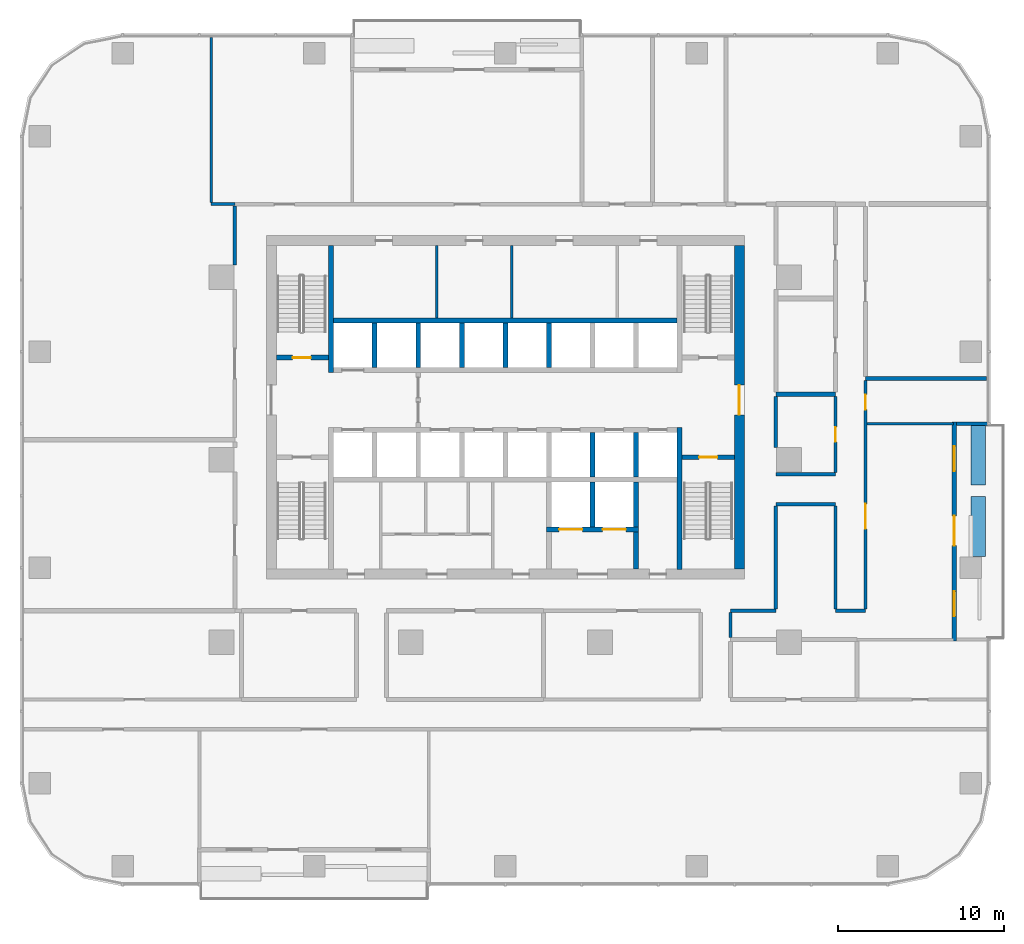
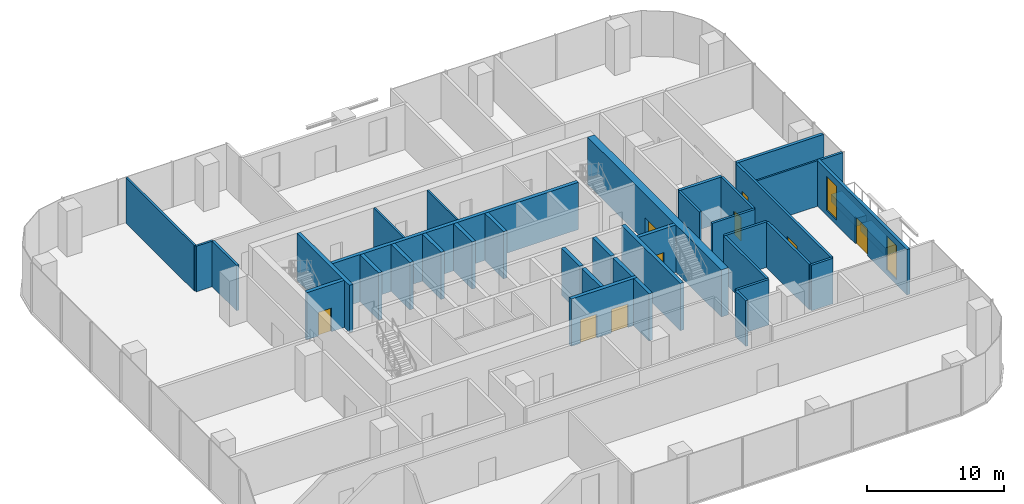
# One storey, part 9 of 14: 39 walls, 9 doors, 2 windows, 11 openings.
"""IFC4 building model written with IfcOpenShell, lengths in metres."""

from ifc_helpers import new_model, si_unit, direction, frame, frame_2d, origin, place, context, subcontext, project, spatial, rectangle, extrude, material, layer, layer_set, type_object, element, fill, save


model = new_model("IFC4")

# Units and contexts
model_context = context("Model", 3, precision=1e-05, world=origin(), true_north=direction((0.0, 1.0)))
body_context = subcontext(model_context, "Body", "Model", "MODEL_VIEW")
ifc_project = project(units=[si_unit("LENGTHUNIT", "METRE"), si_unit("AREAUNIT", "SQUARE_METRE"), si_unit("VOLUMEUNIT", "CUBIC_METRE"), si_unit("PLANEANGLEUNIT", "RADIAN"), si_unit("MASSUNIT", "GRAM", prefix="KILO")], contexts=[model_context])

# Site, building, storey
site_placement = place(None, origin())
site = spatial("IfcSite", under=ifc_project, at=site_placement, CompositionType="ELEMENT")
building_placement = place(site_placement, origin())
building = spatial("IfcBuilding", under=site, at=building_placement, Name="Mopane Tessera Tower", CompositionType="ELEMENT")
storey_placement = place(building_placement, frame((0.0, 0.0, 126.10009765625)))
storey = spatial("IfcBuildingStorey", under=building, at=storey_placement, Name="L25", CompositionType="ELEMENT", Elevation=126.10009765625)

# Walls
ifc_material_1 = material(Name="Fire-rated gypsum board partition")
ifc_layer_1 = layer(ifc_material_1, 0.14990234375)
ifc_layer_set_1 = layer_set([ifc_layer_1], Name="Fire-rated gypsum board partition")
wall_type_1 = type_object("IfcWallType", Name="Core room partition 150 mm", PredefinedType="PARTITIONING", material=ifc_layer_set_1)
for number, where, z_axis, x_axis, name in (
    (1, (-4.125, 8.550048828125, 0.0), (0.0, 0.0, 1.0), (0.0, 1.0, 0.0), "L25 Room partition"),
    (2, (0.375, 8.550048828125, 0.0), (0.0, 0.0, 1.0), (0.0, 1.0, 0.0), "L25 Room partition"),
):
    element("IfcWall", number, at=place(storey_placement, frame(where, z_axis=z_axis, x_axis=x_axis)), inside=storey, type_object=wall_type_1, Name=name, PredefinedType="PARTITIONING", context=body_context, shape_type="SweptSolid", body=[
        extrude(rectangle(XDim=4.349853515625, YDim=0.14990234375, at=frame_2d((2.1748046875, 0.0))), origin(), (0.0, 0.0, 1.0), 4.199951171875),
    ])

# Wall, opening, door
ifc_material_2 = material(Name="Concrete C70/85", Category="concrete")
ifc_layer_2 = layer(ifc_material_2, 0.60009765625)
ifc_layer_set_2 = layer_set([ifc_layer_2], Name="Concrete C70/85")
wall_type_2 = type_object("IfcWallType", Name="Core shear wall 600 mm", PredefinedType="SHEAR", material=ifc_layer_set_2)
wall_1_placement = place(storey_placement, frame((14.10009765625, -6.60009765625, 0.0), z_axis=(0.0, 0.0, 1.0), x_axis=(0.0, 1.0, 0.0)))
wall_1 = element("IfcWall", 3, at=wall_1_placement, inside=storey, type_object=wall_type_2, Name="L25 Core wall east", PredefinedType="SHEAR", context=body_context, shape_type="SweptSolid", body=[
    extrude(rectangle(XDim=19.5, YDim=0.60009765625, at=frame_2d((9.75, 0.0))), origin(), (0.0, 0.0, 1.0), 4.199951171875),
])
opening_1_placement = place(wall_1_placement, frame((9.300048828125, 0.0, 0.0)))
opening_1 = element("IfcOpeningElement", 4, at=opening_1_placement, cuts=wall_1, Name="Opening SD2", PredefinedType="OPENING", context=body_context, shape_type="SweptSolid", body=[
    extrude(rectangle(XDim=1.800048828125, YDim=2.10009765625, at=frame_2d((0.89990234375, 1.050048828125))), frame((0.0, 0.31201171875, 0.0), z_axis=(0.0, -1.0, 0.0), x_axis=(1.0, 0.0, 0.0)), (0.0, 0.0, 1.0), 0.6240234375),
])
ifc_material_3 = material(Name="Steel fire door", Category="steel")
door_type_1 = type_object("IfcDoorType", Name="Core entrance double door 1800 x 2100", OperationType="DOUBLE_DOOR_SINGLE_SWING", PredefinedType="DOOR", material=ifc_material_3)
door_1_placement = place(opening_1_placement, origin())
door_1 = element("IfcDoor", 5, at=door_1_placement, inside=storey, type_object=door_type_1, Name="L25 Core entrance door east", OperationType="DOUBLE_DOOR_SINGLE_SWING", OverallHeight=2.10009765625, OverallWidth=1.800048828125, PredefinedType="DOOR", context=body_context, shape_type="SweptSolid", body=[
    extrude(rectangle(XDim=1.800048828125, YDim=2.10009765625, at=frame_2d((0.89990234375, 1.050048828125))), frame((0.0, 0.02490234375, 0.0), z_axis=(0.0, -1.0, 0.0), x_axis=(1.0, 0.0, 0.0)), (0.0, 0.0, 1.0), 0.050048828125),
])
fill(opening_1, door_1)

# Walls
ifc_material_4 = material(Name="Concrete C60/75", Category="concrete")
ifc_layer_3 = layer(ifc_material_4, 0.300048828125)
ifc_layer_set_3 = layer_set([ifc_layer_3], Name="Concrete C60/75")
wall_type_3 = type_object("IfcWallType", Name="Core spine wall 300 mm", PredefinedType="SHEAR", material=ifc_layer_set_3)
wall_2_placement = place(storey_placement, frame((-10.5, 5.25, 0.0), z_axis=(0.0, 0.0, 1.0), x_axis=(0.0, 1.0, 0.0)))
element("IfcWall", 6, at=wall_2_placement, inside=storey, type_object=wall_type_3, Name="L25 Core spine wall", PredefinedType="SHEAR", context=body_context, shape_type="SweptSolid", body=[
    extrude(rectangle(XDim=7.64990234375, YDim=0.300048828125, at=frame_2d((3.824951171875, 0.0))), origin(), (0.0, 0.0, 1.0), 4.199951171875),
])
wall_3_placement = place(storey_placement, frame((10.5, -6.60009765625, 0.0), z_axis=(0.0, 0.0, 1.0), x_axis=(0.0, 1.0, 0.0)))
element("IfcWall", 7, at=wall_3_placement, inside=storey, type_object=wall_type_3, Name="L25 Core spine wall", PredefinedType="SHEAR", context=body_context, shape_type="SweptSolid", body=[
    extrude(rectangle(XDim=8.550048828125, YDim=0.300048828125, at=frame_2d((4.27490234375, 0.0))), origin(), (0.0, 0.0, 1.0), 4.199951171875),
])
ifc_material_5 = material(Name="Gypsum board on staggered steel studs, double layer each face, acoustic mineral wool infill", Category="steel")
ifc_layer_4 = layer(ifc_material_5, 0.175048828125)
ifc_layer_set_4 = layer_set([ifc_layer_4], Name="Gypsum board on staggered steel studs, double layer each face, acoustic mineral wool infill")
wall_type_4 = type_object("IfcWallType", Name="Gypsum board acoustic partition 175, rated EI 60", PredefinedType="PARTITIONING", material=ifc_layer_set_4)
wall_4_placement = place(storey_placement, frame((-17.72509765625, 15.39990234375, 0.0), z_axis=(0.0, 0.0, 1.0), x_axis=(1.0, 0.0, 0.0)))
element("IfcWall", 8, at=wall_4_placement, inside=storey, type_object=wall_type_4, Name="Partition L25:024", PredefinedType="PARTITIONING", context=body_context, shape_type="SweptSolid", body=[
    extrude(rectangle(XDim=1.425048828125, YDim=0.175048828125, at=frame_2d((0.71240234375, 0.0))), origin(), (0.0, 0.0, 1.0), 4.0498046875),
])
wall_5_placement = place(storey_placement, frame((-17.72509765625, 15.488037109375, 0.0), z_axis=(0.0, 0.0, 1.0), x_axis=(0.0, 1.0, 0.0)))
element("IfcWall", 9, at=wall_5_placement, inside=storey, type_object=wall_type_4, Name="Partition L25:033", PredefinedType="PARTITIONING", context=body_context, shape_type="SweptSolid", body=[
    extrude(rectangle(XDim=9.9619140625, YDim=0.175048828125, at=frame_2d((4.98095703125, 0.0))), origin(), (0.0, 0.0, 1.0), 4.0498046875),
])
ifc_material_6 = material(Name="Gypsum board on steel studs, two layers each face, mineral wool infill", Category="steel")
ifc_layer_5 = layer(ifc_material_6, 0.199951171875)
ifc_layer_set_5 = layer_set([ifc_layer_5], Name="Gypsum board on steel studs, two layers each face, mineral wool infill")
wall_type_5 = type_object("IfcWallType", Name="Gypsum board corridor wall 200, rated EI 60", PredefinedType="PARTITIONING", material=ifc_layer_set_5)
wall_6_placement = place(storey_placement, frame((13.570068359375, -9.10009765625, 0.0), z_axis=(0.0, 0.0, 1.0), x_axis=(1.0, 0.0, 0.0)))
element("IfcWall", 10, at=wall_6_placement, inside=storey, type_object=wall_type_5, Name="Partition L25:012", PredefinedType="PARTITIONING", context=body_context, shape_type="SweptSolid", body=[
    extrude(rectangle(XDim=2.72998046875, YDim=0.199951171875, at=frame_2d((1.364990234375, 0.0))), origin(), (0.0, 0.0, 1.0), 4.0498046875),
])
wall_7_placement = place(storey_placement, frame((19.89990234375, -9.10009765625, 0.0), z_axis=(0.0, 0.0, 1.0), x_axis=(1.0, 0.0, 0.0)))
element("IfcWall", 11, at=wall_7_placement, inside=storey, type_object=wall_type_5, Name="Partition L25:013", PredefinedType="PARTITIONING", context=body_context, shape_type="SweptSolid", body=[
    extrude(rectangle(XDim=1.800048828125, YDim=0.199951171875, at=frame_2d((0.89990234375, 0.0))), origin(), (0.0, 0.0, 1.0), 4.0498046875),
])
for number, where, z_axis, x_axis, name in (
    (12, (16.300048828125, -2.675048828125, 0.0), (0.0, 0.0, 1.0), (1.0, 0.0, 0.0), "Partition L25:017"),
    (13, (16.300048828125, -0.875, 0.0), (0.0, 0.0, 1.0), (1.0, 0.0, 0.0), "Partition L25:018"),
):
    element("IfcWall", number, at=place(storey_placement, frame(where, z_axis=z_axis, x_axis=x_axis)), inside=storey, type_object=wall_type_5, Name=name, PredefinedType="PARTITIONING", context=body_context, shape_type="SweptSolid", body=[
        extrude(rectangle(XDim=3.599853515625, YDim=0.199951171875, at=frame_2d((1.7998046875, 0.0))), origin(), (0.0, 0.0, 1.0), 4.0498046875),
    ])
wall_8_placement = place(storey_placement, frame((-16.300048828125, 11.75, 0.0), z_axis=(0.0, 0.0, 1.0), x_axis=(0.0, 1.0, 0.0)))
element("IfcWall", 14, at=wall_8_placement, inside=storey, type_object=wall_type_5, Name="Partition L25:035", PredefinedType="PARTITIONING", context=body_context, shape_type="SweptSolid", body=[
    extrude(rectangle(XDim=3.550048828125, YDim=0.199951171875, at=frame_2d((1.77490234375, 0.0))), origin(), (0.0, 0.0, 1.0), 4.0498046875),
])
wall_9_placement = place(storey_placement, frame((13.570068359375, -10.7099609375, 0.0), z_axis=(0.0, 0.0, 1.0), x_axis=(0.0, 1.0, 0.0)))
element("IfcWall", 15, at=wall_9_placement, inside=storey, type_object=wall_type_5, Name="Partition L25:048", PredefinedType="PARTITIONING", context=body_context, shape_type="SweptSolid", body=[
    extrude(rectangle(XDim=1.510009765625, YDim=0.199951171875, at=frame_2d((0.7548828125, 0.0))), origin(), (0.0, 0.0, 1.0), 4.0498046875),
])
wall_10_placement = place(storey_placement, frame((16.300048828125, -9.0, 0.0), z_axis=(0.0, 0.0, 1.0), x_axis=(0.0, 1.0, 0.0)))
element("IfcWall", 16, at=wall_10_placement, inside=storey, type_object=wall_type_5, Name="Partition L25:050", PredefinedType="PARTITIONING", context=body_context, shape_type="SweptSolid", body=[
    extrude(rectangle(XDim=6.22509765625, YDim=0.199951171875, at=frame_2d((3.112548828125, 0.0))), origin(), (0.0, 0.0, 1.0), 4.0498046875),
])
wall_11_placement = place(storey_placement, frame((16.300048828125, 0.75, 0.0), z_axis=(0.0, 0.0, 1.0), x_axis=(0.0, 1.0, 0.0)))
element("IfcWall", 17, at=wall_11_placement, inside=storey, type_object=wall_type_5, Name="Partition L25:051", PredefinedType="PARTITIONING", context=body_context, shape_type="SweptSolid", body=[
    extrude(rectangle(XDim=3.070068359375, YDim=0.199951171875, at=frame_2d((1.53515625, 0.0))), origin(), (0.0, 0.0, 1.0), 4.0498046875),
])
wall_12_placement = place(storey_placement, frame((19.89990234375, -9.0, 0.0), z_axis=(0.0, 0.0, 1.0), x_axis=(0.0, 1.0, 0.0)))
element("IfcWall", 18, at=wall_12_placement, inside=storey, type_object=wall_type_5, Name="Partition L25:054", PredefinedType="PARTITIONING", context=body_context, shape_type="SweptSolid", body=[
    extrude(rectangle(XDim=6.22509765625, YDim=0.199951171875, at=frame_2d((3.112548828125, 0.0))), origin(), (0.0, 0.0, 1.0), 4.0498046875),
])

# Wall, opening, door
wall_13_placement = place(storey_placement, frame((19.89990234375, -0.77490234375, 0.0), z_axis=(0.0, 0.0, 1.0), x_axis=(0.0, 1.0, 0.0)))
wall_13 = element("IfcWall", 19, at=wall_13_placement, inside=storey, type_object=wall_type_5, Name="Partition L25:055", PredefinedType="PARTITIONING", context=body_context, shape_type="SweptSolid", body=[
    extrude(rectangle(XDim=4.594970703125, YDim=0.199951171875, at=frame_2d((2.29736328125, 0.0))), origin(), (0.0, 0.0, 1.0), 4.0498046875),
])
opening_2_placement = place(wall_13_placement, frame((1.847412109375, 0.0, 0.0)))
opening_2 = element("IfcOpeningElement", 20, at=opening_2_placement, cuts=wall_13, Name="Opening L25-16", PredefinedType="OPENING", context=body_context, shape_type="SweptSolid", body=[
    extrude(rectangle(XDim=0.89990234375, YDim=2.10009765625, at=frame_2d((0.449951171875, 1.050048828125))), frame((0.0, 0.112060546875, 0.0), z_axis=(0.0, -1.0, 0.0), x_axis=(1.0, 0.0, 0.0)), (0.0, 0.0, 1.0), 0.223876953125),
])
ifc_material_7 = material(Name="Timber veneered steel-framed fire door", Category="steel")
door_type_2 = type_object("IfcDoorType", Name="Fire door FD60 900 x 2100", OperationType="SINGLE_SWING_LEFT", PredefinedType="DOOR", material=ifc_material_7)
door_2_placement = place(opening_2_placement, origin())
door_2 = element("IfcDoor", 21, at=door_2_placement, inside=storey, type_object=door_type_2, Name="Door L25-16", ObjectType="D10A", OperationType="SINGLE_SWING_LEFT", OverallHeight=2.10009765625, OverallWidth=0.89990234375, PredefinedType="DOOR", context=body_context, shape_type="SweptSolid", body=[
    extrude(rectangle(XDim=0.89990234375, YDim=2.10009765625, at=frame_2d((0.449951171875, 1.050048828125))), frame((0.0, 0.02490234375, 0.0), z_axis=(0.0, -1.0, 0.0), x_axis=(1.0, 0.0, 0.0)), (0.0, 0.0, 1.0), 0.050048828125),
])
fill(opening_2, door_2)

# Wall, openings, doors
wall_14_placement = place(storey_placement, frame((21.699951171875, -9.0, 0.0), z_axis=(0.0, 0.0, 1.0), x_axis=(0.0, 1.0, 0.0)))
wall_14 = element("IfcWall", 22, at=wall_14_placement, inside=storey, type_object=wall_type_5, Name="Partition L25:058", PredefinedType="PARTITIONING", context=body_context, shape_type="SweptSolid", body=[
    extrude(rectangle(XDim=13.77490234375, YDim=0.199951171875, at=frame_2d((6.887451171875, 0.0))), origin(), (0.0, 0.0, 1.0), 4.0498046875),
])
opening_3_placement = place(wall_14_placement, frame((4.83251953125, 0.0, 0.0)))
opening_3 = element("IfcOpeningElement", 23, at=opening_3_placement, cuts=wall_14, Name="Opening L25-04", PredefinedType="OPENING", context=body_context, shape_type="SweptSolid", body=[
    extrude(rectangle(XDim=1.5, YDim=2.10009765625, at=frame_2d((0.75, 1.050048828125))), frame((0.0, 0.112060546875, 0.0), z_axis=(0.0, -1.0, 0.0), x_axis=(1.0, 0.0, 0.0)), (0.0, 0.0, 1.0), 0.223876953125),
])
opening_4_placement = place(wall_14_placement, frame((12.02001953125, 0.0, 0.0)))
opening_4 = element("IfcOpeningElement", 24, at=opening_4_placement, cuts=wall_14, Name="Opening L25-22", PredefinedType="OPENING", context=body_context, shape_type="SweptSolid", body=[
    extrude(rectangle(XDim=0.89990234375, YDim=2.10009765625, at=frame_2d((0.449951171875, 1.050048828125))), frame((0.0, 0.112060546875, 0.0), z_axis=(0.0, -1.0, 0.0), x_axis=(1.0, 0.0, 0.0)), (0.0, 0.0, 1.0), 0.223876953125),
])
door_3_placement = place(opening_4_placement, origin())
door_3 = element("IfcDoor", 25, at=door_3_placement, inside=storey, type_object=door_type_2, Name="Door L25-22", ObjectType="D10A", OperationType="SINGLE_SWING_RIGHT", OverallHeight=2.10009765625, OverallWidth=0.89990234375, PredefinedType="DOOR", context=body_context, shape_type="SweptSolid", body=[
    extrude(rectangle(XDim=0.89990234375, YDim=2.10009765625, at=frame_2d((0.449951171875, 1.050048828125))), frame((0.0, 0.02490234375, 0.0), z_axis=(0.0, -1.0, 0.0), x_axis=(1.0, 0.0, 0.0)), (0.0, 0.0, 1.0), 0.050048828125),
])
fill(opening_4, door_3)
ifc_material_8 = material(Name="Timber veneered steel-framed fire door", Category="steel")
door_type_3 = type_object("IfcDoorType", Name="Fire door pair FD60 1500 x 2100", OperationType="DOUBLE_DOOR_SINGLE_SWING", PredefinedType="DOOR", material=ifc_material_8)
door_4_placement = place(opening_3_placement, origin())
door_4 = element("IfcDoor", 26, at=door_4_placement, inside=storey, type_object=door_type_3, Name="Door L25-04", ObjectType="D17A", OperationType="DOUBLE_DOOR_SINGLE_SWING", OverallHeight=2.10009765625, OverallWidth=1.5, PredefinedType="DOOR", context=body_context, shape_type="SweptSolid", body=[
    extrude(rectangle(XDim=1.5, YDim=2.10009765625, at=frame_2d((0.75, 1.050048828125))), frame((0.0, 0.02490234375, 0.0), z_axis=(0.0, -1.0, 0.0), x_axis=(1.0, 0.0, 0.0)), (0.0, 0.0, 1.0), 0.050048828125),
])
fill(opening_3, door_4)

# Wall
ifc_material_9 = material(Name="Gypsum board on steel studs, mineral wool infill", Category="steel")
ifc_layer_6 = layer(ifc_material_9, 0.14990234375)
ifc_layer_set_6 = layer_set([ifc_layer_6], Name="Gypsum board on steel studs, mineral wool infill")
wall_type_6 = type_object("IfcWallType", Name="Gypsum board partition 150, rated EI 60", PredefinedType="PARTITIONING", material=ifc_layer_set_6)
wall_15_placement = place(storey_placement, frame((21.800048828125, 2.1650390625, 0.0), z_axis=(0.0, 0.0, 1.0), x_axis=(1.0, 0.0, 0.0)))
element("IfcWall", 27, at=wall_15_placement, inside=storey, type_object=wall_type_6, Name="Partition L25:020", PredefinedType="PARTITIONING", context=body_context, shape_type="SweptSolid", body=[
    extrude(rectangle(XDim=5.199951171875, YDim=0.14990234375, at=frame_2d((2.60009765625, 0.0))), origin(), (0.0, 0.0, 1.0), 4.0498046875),
])

# Wall, opening, door
ifc_material_10 = material(Name="Concrete C50/60", Category="concrete")
ifc_layer_7 = layer(ifc_material_10, 0.300048828125)
ifc_layer_set_7 = layer_set([ifc_layer_7], Name="Concrete C50/60")
wall_type_7 = type_object("IfcWallType", Name="Lift and stair shaft wall 300 mm", PredefinedType="SOLIDWALL", material=ifc_layer_set_7)
wall_16_placement = place(storey_placement, frame((-13.800048828125, 6.14990234375, 0.0), z_axis=(0.0, 0.0, 1.0), x_axis=(1.0, 0.0, 0.0)))
wall_16 = element("IfcWall", 28, at=wall_16_placement, inside=storey, type_object=wall_type_7, Name="L25 Stair enclosure wall", PredefinedType="SOLIDWALL", context=body_context, shape_type="SweptSolid", body=[
    extrude(rectangle(XDim=3.150146484375, YDim=0.300048828125, at=frame_2d((1.5751953125, 0.0))), origin(), (0.0, 0.0, 1.0), 4.199951171875),
])
opening_5_placement = place(wall_16_placement, frame((0.97509765625, 0.0, 0.0)))
opening_5 = element("IfcOpeningElement", 29, at=opening_5_placement, cuts=wall_16, Name="Opening SD1", PredefinedType="OPENING", context=body_context, shape_type="SweptSolid", body=[
    extrude(rectangle(XDim=1.10009765625, YDim=2.10009765625, at=frame_2d((0.550048828125, 1.050048828125))), frame((0.0, 0.162109375, 0.0), z_axis=(0.0, -1.0, 0.0), x_axis=(1.0, 0.0, 0.0)), (0.0, 0.0, 1.0), 0.323974609375),
])
ifc_material_11 = material(Name="Steel fire door", Category="steel")
door_type_4 = type_object("IfcDoorType", Name="Stair fire door 1100 x 2100", OperationType="SINGLE_SWING_LEFT", PredefinedType="DOOR", material=ifc_material_11)
door_5_placement = place(opening_5_placement, origin())
door_5 = element("IfcDoor", 30, at=door_5_placement, inside=storey, type_object=door_type_4, Name="L25 Stair door ST2", OperationType="SINGLE_SWING_LEFT", OverallHeight=2.10009765625, OverallWidth=1.10009765625, PredefinedType="DOOR", context=body_context, shape_type="SweptSolid", body=[
    extrude(rectangle(XDim=1.10009765625, YDim=2.10009765625, at=frame_2d((0.550048828125, 1.050048828125))), frame((0.0, 0.02490234375, 0.0), z_axis=(0.0, -1.0, 0.0), x_axis=(1.0, 0.0, 0.0)), (0.0, 0.0, 1.0), 0.050048828125),
])
fill(opening_5, door_5)

wall_17_placement = place(storey_placement, frame((10.64990234375, 0.14990234375, 0.0), z_axis=(0.0, 0.0, 1.0), x_axis=(1.0, 0.0, 0.0)))
wall_17 = element("IfcWall", 31, at=wall_17_placement, inside=storey, type_object=wall_type_7, Name="L25 Stair enclosure wall", PredefinedType="SOLIDWALL", context=body_context, shape_type="SweptSolid", body=[
    extrude(rectangle(XDim=3.150146484375, YDim=0.300048828125, at=frame_2d((1.5751953125, 0.0))), origin(), (0.0, 0.0, 1.0), 4.199951171875),
])
opening_6_placement = place(wall_17_placement, frame((1.02490234375, 0.0, 0.0)))
opening_6 = element("IfcOpeningElement", 32, at=opening_6_placement, cuts=wall_17, Name="Opening SD1", PredefinedType="OPENING", context=body_context, shape_type="SweptSolid", body=[
    extrude(rectangle(XDim=1.10009765625, YDim=2.10009765625, at=frame_2d((0.550048828125, 1.050048828125))), frame((0.0, 0.162109375, 0.0), z_axis=(0.0, -1.0, 0.0), x_axis=(1.0, 0.0, 0.0)), (0.0, 0.0, 1.0), 0.323974609375),
])
door_6_placement = place(opening_6_placement, origin())
door_6 = element("IfcDoor", 33, at=door_6_placement, inside=storey, type_object=door_type_4, Name="L25 Stair door ST3", OperationType="SINGLE_SWING_RIGHT", OverallHeight=2.10009765625, OverallWidth=1.10009765625, PredefinedType="DOOR", context=body_context, shape_type="SweptSolid", body=[
    extrude(rectangle(XDim=1.10009765625, YDim=2.10009765625, at=frame_2d((0.550048828125, 1.050048828125))), frame((0.0, 0.02490234375, 0.0), z_axis=(0.0, -1.0, 0.0), x_axis=(1.0, 0.0, 0.0)), (0.0, 0.0, 1.0), 0.050048828125),
])
fill(opening_6, door_6)

# Walls
wall_18_placement = place(storey_placement, frame((-10.35009765625, 8.39990234375, 0.0), z_axis=(0.0, 0.0, 1.0), x_axis=(1.0, 0.0, 0.0)))
element("IfcWall", 34, at=wall_18_placement, inside=storey, type_object=wall_type_7, Name="L25 Lift shaft rear wall", PredefinedType="SOLIDWALL", context=body_context, shape_type="SweptSolid", body=[
    extrude(rectangle(XDim=20.7001953125, YDim=0.300048828125, at=frame_2d((10.35009765625, 0.0))), origin(), (0.0, 0.0, 1.0), 4.199951171875),
])
for number, where, z_axis, x_axis, name in (
    (35, (5.25, -1.050048828125, 0.0), (0.0, 0.0, 1.0), (0.0, 1.0, 0.0), "L25 Lift shaft wall"),
    (36, (7.875, -1.050048828125, 0.0), (0.0, 0.0, 1.0), (0.0, 1.0, 0.0), "L25 Lift shaft wall"),
    (37, (-7.875, 5.550048828125, 0.0), (0.0, 0.0, 1.0), (0.0, 1.0, 0.0), "L25 Lift shaft wall"),
    (38, (-5.25, 5.550048828125, 0.0), (0.0, 0.0, 1.0), (0.0, 1.0, 0.0), "L25 Lift shaft wall"),
    (39, (-2.625, 5.550048828125, 0.0), (0.0, 0.0, 1.0), (0.0, 1.0, 0.0), "L25 Lift shaft wall"),
    (40, (0.0, 5.550048828125, 0.0), (0.0, 0.0, 1.0), (0.0, 1.0, 0.0), "L25 Lift shaft wall"),
    (41, (2.625, 5.550048828125, 0.0), (0.0, 0.0, 1.0), (0.0, 1.0, 0.0), "L25 Lift shaft wall"),
):
    element("IfcWall", number, at=place(storey_placement, frame(where, z_axis=z_axis, x_axis=x_axis)), inside=storey, type_object=wall_type_7, Name=name, PredefinedType="SOLIDWALL", context=body_context, shape_type="SweptSolid", body=[
        extrude(rectangle(XDim=2.699951171875, YDim=0.300048828125, at=frame_2d((1.35009765625, 0.0))), origin(), (0.0, 0.0, 1.0), 4.199951171875),
    ])

# Wall, openings, doors
wall_19_placement = place(storey_placement, frame((2.47509765625, -4.199951171875, 0.0), z_axis=(0.0, 0.0, 1.0), x_axis=(1.0, 0.0, 0.0)))
wall_19 = element("IfcWall", 42, at=wall_19_placement, inside=storey, type_object=wall_type_7, Name="L25 Lift shaft front wall", PredefinedType="SOLIDWALL", context=body_context, shape_type="SweptSolid", body=[
    extrude(rectangle(XDim=5.5498046875, YDim=0.300048828125, at=frame_2d((2.77490234375, 0.0))), origin(), (0.0, 0.0, 1.0), 4.199951171875),
])
opening_7_placement = place(wall_19_placement, frame((0.762451171875, 0.0, 0.0)))
opening_7 = element("IfcOpeningElement", 43, at=opening_7_placement, cuts=wall_19, Name="Opening LD3", PredefinedType="OPENING", context=body_context, shape_type="SweptSolid", body=[
    extrude(rectangle(XDim=1.39990234375, YDim=2.10009765625, at=frame_2d((0.699951171875, 1.050048828125))), frame((0.0, 0.162109375, 0.0), z_axis=(0.0, -1.0, 0.0), x_axis=(1.0, 0.0, 0.0)), (0.0, 0.0, 1.0), 0.323974609375),
])
opening_8_placement = place(wall_19_placement, frame((3.387451171875, 0.0, 0.0)))
opening_8 = element("IfcOpeningElement", 44, at=opening_8_placement, cuts=wall_19, Name="Opening LD3", PredefinedType="OPENING", context=body_context, shape_type="SweptSolid", body=[
    extrude(rectangle(XDim=1.39990234375, YDim=2.10009765625, at=frame_2d((0.699951171875, 1.050048828125))), frame((0.0, 0.162109375, 0.0), z_axis=(0.0, -1.0, 0.0), x_axis=(1.0, 0.0, 0.0)), (0.0, 0.0, 1.0), 0.323974609375),
])
ifc_material_12 = material(Name="Stainless steel sliding door", Category="steel")
door_type_5 = type_object("IfcDoorType", Name="Service lift landing door 1400 x 2100", OperationType="DOUBLE_DOOR_SLIDING", PredefinedType="DOOR", material=ifc_material_12)
door_7_placement = place(opening_7_placement, origin())
door_7 = element("IfcDoor", 45, at=door_7_placement, inside=storey, type_object=door_type_5, Name="L25 Lift landing door SV1", OperationType="DOUBLE_DOOR_SLIDING", OverallHeight=2.10009765625, OverallWidth=1.39990234375, PredefinedType="DOOR", context=body_context, shape_type="SweptSolid", body=[
    extrude(rectangle(XDim=1.39990234375, YDim=2.10009765625, at=frame_2d((0.699951171875, 1.050048828125))), frame((0.0, 0.02490234375, 0.0), z_axis=(0.0, -1.0, 0.0), x_axis=(1.0, 0.0, 0.0)), (0.0, 0.0, 1.0), 0.050048828125),
])
fill(opening_7, door_7)
door_8_placement = place(opening_8_placement, origin())
door_8 = element("IfcDoor", 46, at=door_8_placement, inside=storey, type_object=door_type_5, Name="L25 Lift landing door SV2", OperationType="DOUBLE_DOOR_SLIDING", OverallHeight=2.10009765625, OverallWidth=1.39990234375, PredefinedType="DOOR", context=body_context, shape_type="SweptSolid", body=[
    extrude(rectangle(XDim=1.39990234375, YDim=2.10009765625, at=frame_2d((0.699951171875, 1.050048828125))), frame((0.0, 0.02490234375, 0.0), z_axis=(0.0, -1.0, 0.0), x_axis=(1.0, 0.0, 0.0)), (0.0, 0.0, 1.0), 0.050048828125),
])
fill(opening_8, door_8)

# Walls
for number, where, z_axis, x_axis, name in (
    (47, (5.25, -4.050048828125, 0.0), (0.0, 0.0, 1.0), (0.0, 1.0, 0.0), "L25 Lift shaft wall"),
    (48, (7.875, -4.050048828125, 0.0), (0.0, 0.0, 1.0), (0.0, 1.0, 0.0), "L25 Lift shaft wall"),
):
    element("IfcWall", number, at=place(storey_placement, frame(where, z_axis=z_axis, x_axis=x_axis)), inside=storey, type_object=wall_type_7, Name=name, PredefinedType="SOLIDWALL", context=body_context, shape_type="SweptSolid", body=[
        extrude(rectangle(XDim=2.699951171875, YDim=0.300048828125, at=frame_2d((1.35009765625, 0.0))), origin(), (0.0, 0.0, 1.0), 4.199951171875),
    ])
ifc_material_13 = material(Name="Concrete C50/60", Category="concrete")
ifc_layer_8 = layer(ifc_material_13, 0.300048828125)
ifc_layer_set_8 = layer_set([ifc_layer_8], Name="Concrete C50/60")
wall_type_8 = type_object("IfcWallType", Name="Lobby and refuge room wall 300 mm", PredefinedType="SOLIDWALL", material=ifc_layer_set_8)
wall_20_placement = place(storey_placement, frame((7.875, -6.60009765625, 0.0), z_axis=(0.0, 0.0, 1.0), x_axis=(0.0, 1.0, 0.0)))
element("IfcWall", 49, at=wall_20_placement, inside=storey, type_object=wall_type_8, Name="L25 Service lobby wall", PredefinedType="SOLIDWALL", context=body_context, shape_type="SweptSolid", body=[
    extrude(rectangle(XDim=2.25, YDim=0.300048828125, at=frame_2d((1.125, 0.0))), origin(), (0.0, 0.0, 1.0), 4.199951171875),
])
ifc_material_14 = material(Name="Reinforced concrete C32/40 with waterproofing", Category="concrete")
ifc_layer_9 = layer(ifc_material_14, 0.89990234375)
ifc_layer_set_9 = layer_set([ifc_layer_9], Name="Reinforced concrete C32/40 with waterproofing")
wall_type_9 = type_object("IfcWallType", Name="Planter trough 3600 x 900", PredefinedType="STANDARD", material=ifc_layer_set_9)
for number, where, z_axis, x_axis, name in (
    (50, (28.5, -5.830078125, 0.0), (0.0, 0.0, 1.0), (0.0, 1.0, 0.0), "e:nw:L25:N3:pl0"),
    (51, (28.5, -1.533447265625, 0.0), (0.0, 0.0, 1.0), (0.0, 1.0, 0.0), "e:nw:L25:N3:pl1"),
):
    element("IfcWall", number, at=place(storey_placement, frame(where, z_axis=z_axis, x_axis=x_axis)), inside=storey, type_object=wall_type_9, Name=name, PredefinedType="STANDARD", context=body_context, shape_type="SweptSolid", body=[
        extrude(rectangle(XDim=3.60009765625, YDim=0.89990234375, at=frame_2d((1.800048828125, 0.0))), origin(), (0.0, 0.0, 1.0), 0.699951171875),
    ])
ifc_material_15 = material(Name="Plastered concrete blockwork C20/25", Category="masonry")
ifc_layer_10 = layer(ifc_material_15, 0.25)
ifc_layer_set_10 = layer_set([ifc_layer_10], Name="Plastered concrete blockwork C20/25")
wall_type_10 = type_object("IfcWallType", Name="Plastered blockwork wall 250, rated EI 120", PredefinedType="PARTITIONING", material=ifc_layer_set_10)
wall_21_placement = place(storey_placement, frame((16.300048828125, 3.945068359375, 0.0), z_axis=(0.0, 0.0, 1.0), x_axis=(1.0, 0.0, 0.0)))
element("IfcWall", 52, at=wall_21_placement, inside=storey, type_object=wall_type_10, Name="Partition L25:021", PredefinedType="PARTITIONING", context=body_context, shape_type="SweptSolid", body=[
    extrude(rectangle(XDim=3.599853515625, YDim=0.25, at=frame_2d((1.7998046875, 0.0))), origin(), (0.0, 0.0, 1.0), 4.0498046875),
])
wall_22_placement = place(storey_placement, frame((21.699951171875, 4.89990234375, 0.0), z_axis=(0.0, 0.0, 1.0), x_axis=(1.0, 0.0, 0.0)))
element("IfcWall", 53, at=wall_22_placement, inside=storey, type_object=wall_type_10, Name="Partition L25:022", PredefinedType="PARTITIONING", context=body_context, shape_type="SweptSolid", body=[
    extrude(rectangle(XDim=7.300048828125, YDim=0.25, at=frame_2d((3.64990234375, 0.0))), origin(), (0.0, 0.0, 1.0), 4.0498046875),
])
ifc_material_16 = material(Name="Blockwork with glazed tile facing", Category="masonry")
ifc_layer_11 = layer(ifc_material_16, 0.199951171875)
ifc_layer_set_11 = layer_set([ifc_layer_11], Name="Blockwork with glazed tile facing")
wall_type_11 = type_object("IfcWallType", Name="Terrace cheek wall 200", PredefinedType="STANDARD", material=ifc_layer_set_11)
wall_23_placement = place(storey_placement, frame((29.050048828125, 2.166748046875, 0.0), z_axis=(0.0, 0.0, 1.0), x_axis=(-1.0, 0.0, 0.0)))
element("IfcWall", 54, at=wall_23_placement, inside=storey, type_object=wall_type_11, Name="e:nw:L25:N3:cheekb", PredefinedType="STANDARD", context=body_context, shape_type="SweptSolid", body=[
    extrude(rectangle(XDim=1.875, YDim=0.199951171875, at=frame_2d((0.9375, 0.0))), origin(), (0.0, 0.0, 1.0), 4.0498046875),
])

# Wall, openings, windows, door
ifc_material_17 = material(Name="Blockwork with ultramarine glazed tile facing", Category="masonry")
ifc_layer_12 = layer(ifc_material_17, 0.25)
ifc_layer_set_12 = layer_set([ifc_layer_12], Name="Blockwork with ultramarine glazed tile facing")
wall_type_12 = type_object("IfcWallType", Name="Tile-clad external wall 250, ultramarine", PredefinedType="STANDARD", material=ifc_layer_set_12)
wall_24_placement = place(storey_placement, frame((27.050048828125, -10.933349609375, 0.0), z_axis=(0.0, 0.0, 1.0), x_axis=(0.0, 1.0, 0.0)))
wall_24 = element("IfcWall", 55, at=wall_24_placement, inside=storey, type_object=wall_type_12, Name="e:nw:L25:N3:back", PredefinedType="STANDARD", context=body_context, shape_type="SweptSolid", body=[
    extrude(rectangle(XDim=13.199951171875, YDim=0.25, at=frame_2d((6.60009765625, 0.0))), origin(), (0.0, 0.0, 1.0), 4.0498046875),
])
opening_9_placement = place(wall_24_placement, frame((1.5, 0.0, 0.449951171875)))
opening_9 = element("IfcOpeningElement", 56, at=opening_9_placement, cuts=wall_24, Name="Opening NW253A", PredefinedType="OPENING", context=body_context, shape_type="SweptSolid", body=[
    extrude(rectangle(XDim=1.5, YDim=3.0, at=frame_2d((0.75, 1.5))), frame((0.0, 0.136962890625, 0.0), z_axis=(0.0, -1.0, 0.0), x_axis=(1.0, 0.0, 0.0)), (0.0, 0.0, 1.0), 0.27392578125),
])
opening_10_placement = place(wall_24_placement, frame((5.75, 0.0, 0.0)))
opening_10 = element("IfcOpeningElement", 57, at=opening_10_placement, cuts=wall_24, Name="Opening ND253", PredefinedType="OPENING", context=body_context, shape_type="SweptSolid", body=[
    extrude(rectangle(XDim=1.800048828125, YDim=2.39990234375, at=frame_2d((0.89990234375, 1.199951171875))), frame((0.0, 0.136962890625, 0.0), z_axis=(0.0, -1.0, 0.0), x_axis=(1.0, 0.0, 0.0)), (0.0, 0.0, 1.0), 0.27392578125),
])
opening_11_placement = place(wall_24_placement, frame((10.25, 0.0, 0.449951171875)))
opening_11 = element("IfcOpeningElement", 58, at=opening_11_placement, cuts=wall_24, Name="Opening NW253B", PredefinedType="OPENING", context=body_context, shape_type="SweptSolid", body=[
    extrude(rectangle(XDim=1.5, YDim=3.0, at=frame_2d((0.75, 1.5))), frame((0.0, 0.136962890625, 0.0), z_axis=(0.0, -1.0, 0.0), x_axis=(1.0, 0.0, 0.0)), (0.0, 0.0, 1.0), 0.27392578125),
])
ifc_material_18 = material(Name="Clear laminated glass", Category="glass")
window_type = type_object("IfcWindowType", Name="Fixed window 1500 x 3000", PartitioningType="SINGLE_PANEL", PredefinedType="WINDOW", material=ifc_material_18)
window_1_placement = place(opening_9_placement, origin())
window_1 = element("IfcWindow", 59, at=window_1_placement, inside=storey, type_object=window_type, Name="e:nw:L25:N3:win0", OverallHeight=3.0, OverallWidth=1.5, PartitioningType="SINGLE_PANEL", PredefinedType="WINDOW", context=body_context, shape_type="SweptSolid", body=[
    extrude(rectangle(XDim=1.5, YDim=3.0, at=frame_2d((0.75, 1.5))), frame((0.0, 0.030029296875, 0.0), z_axis=(0.0, -1.0, 0.0), x_axis=(1.0, 0.0, 0.0)), (0.0, 0.0, 1.0), 0.06005859375),
])
fill(opening_9, window_1)
window_2_placement = place(opening_11_placement, origin())
window_2 = element("IfcWindow", 60, at=window_2_placement, inside=storey, type_object=window_type, Name="e:nw:L25:N3:win2", OverallHeight=3.0, OverallWidth=1.5, PartitioningType="SINGLE_PANEL", PredefinedType="WINDOW", context=body_context, shape_type="SweptSolid", body=[
    extrude(rectangle(XDim=1.5, YDim=3.0, at=frame_2d((0.75, 1.5))), frame((0.0, 0.030029296875, 0.0), z_axis=(0.0, -1.0, 0.0), x_axis=(1.0, 0.0, 0.0)), (0.0, 0.0, 1.0), 0.06005859375),
])
fill(opening_11, window_2)
ifc_material_19 = material(Name="Aluminium and clear glass", Category="aluminium")
door_type_6 = type_object("IfcDoorType", Name="Terrace double door 1800 x 2400", OperationType="DOUBLE_DOOR_SINGLE_SWING", PredefinedType="DOOR", material=ifc_material_19)
door_9_placement = place(opening_10_placement, origin())
door_9 = element("IfcDoor", 61, at=door_9_placement, inside=storey, type_object=door_type_6, Name="e:nw:L25:N3:door", ObjectType="D1", OperationType="DOUBLE_DOOR_SINGLE_SWING", OverallHeight=2.39990234375, OverallWidth=1.800048828125, PredefinedType="DOOR", context=body_context, shape_type="SweptSolid", body=[
    extrude(rectangle(XDim=1.800048828125, YDim=2.39990234375, at=frame_2d((0.89990234375, 1.199951171875))), frame((0.0, 0.02490234375, 0.0), z_axis=(0.0, -1.0, 0.0), x_axis=(1.0, 0.0, 0.0)), (0.0, 0.0, 1.0), 0.050048828125),
])
fill(opening_10, door_9)

save(model, "model.ifc")
